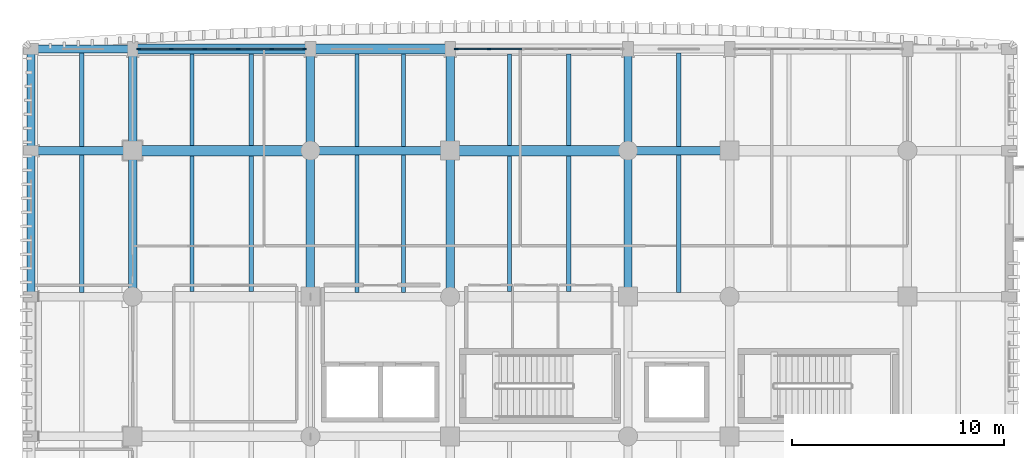
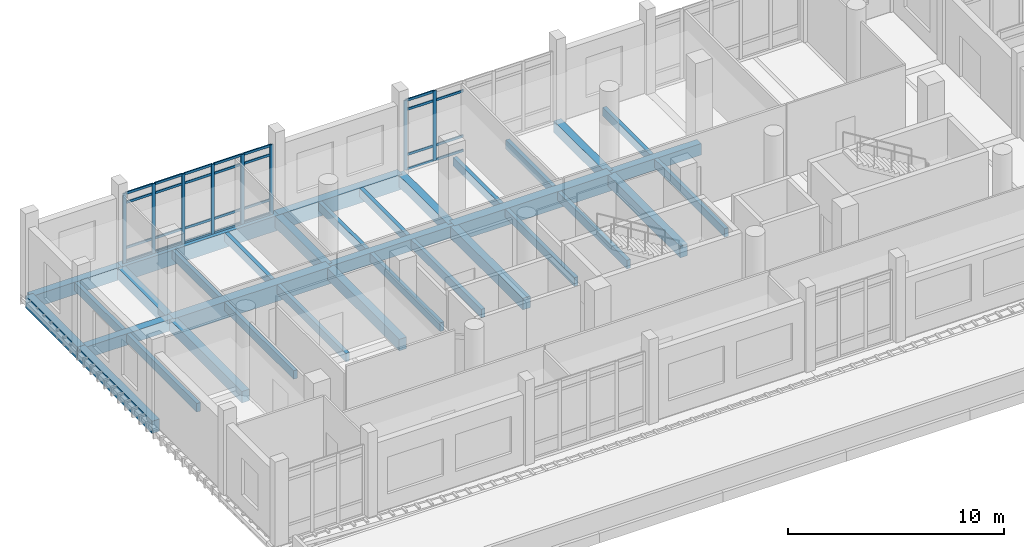
# One storey, part 32 of 125: 35 members, 34 beams, 2 elements without a shape of their own.
"""IFC4 building model written with IfcOpenShell, lengths in metres."""

from ifc_helpers import new_model, si_unit, direction, frame, origin, origin_2d, place, context, subcontext, project, spatial, rectangle, extrude, material, material_profile, profile_set, type_object, element, aggregate, save


model = new_model("IFC4")

# Units and contexts
model_context = context("Model", 3, precision=1e-05, world=origin(), true_north=direction((0.0, 1.0)))
body_context = subcontext(model_context, "Body", "Model", "MODEL_VIEW")
ifc_project = project(units=[si_unit("LENGTHUNIT", "METRE"), si_unit("AREAUNIT", "SQUARE_METRE"), si_unit("VOLUMEUNIT", "CUBIC_METRE"), si_unit("PLANEANGLEUNIT", "RADIAN"), si_unit("MASSUNIT", "GRAM", prefix="KILO")], contexts=[model_context])

# Site, building, storey
site_placement = place(None, origin())
site = spatial("IfcSite", under=ifc_project, at=site_placement, CompositionType="ELEMENT")
building_placement = place(site_placement, origin())
building = spatial("IfcBuilding", under=site, at=building_placement, Name="Dornvale Research Institute", CompositionType="ELEMENT")
storey_placement = place(building_placement, frame((0.0, 0.0, 5.39990234375)))
storey = spatial("IfcBuildingStorey", under=building, at=storey_placement, Name="L01", CompositionType="ELEMENT", Elevation=5.39990234375)

# Beams
ifc_material_1 = material(Name="Concrete f'c 45 MPa (C35/45)", Category="concrete")
ifc_material_profile_1 = material_profile(ifc_material_1, rectangle(XDim=0.39990234375, YDim=0.64990234375, at=origin_2d()), Name="RC 400x650")
ifc_profile_set_1 = profile_set([ifc_material_profile_1], Name="Concrete f'c 45 MPa (C35/45)")
beam_type_1 = type_object("IfcBeamType", Name="Beam_RC400x650_Floor", PredefinedType="BEAM", material=ifc_profile_set_1)
beam_1_placement = place(storey_placement, frame((0.0, 117.300048828125, -0.324951171875), z_axis=(1.0, 0.0, 0.0), x_axis=(0.0, 1.0, 0.0)))
element("IfcBeam", 1, at=beam_1_placement, inside=storey, type_object=beam_type_1, Name="L01 primary girder #308", PredefinedType="BEAM", context=body_context, shape_type="SweptSolid", body=[
    extrude(rectangle(XDim=0.39990234375, YDim=0.64990234375, at=origin_2d()), origin(), (0.0, 0.0, 1.0), 4.800048828125),
])
beam_2_placement = place(storey_placement, frame((13.199951171875, 117.300048828125, -0.324951171875), z_axis=(1.0, 0.0, 0.0), x_axis=(0.0, 1.0, 0.0)))
element("IfcBeam", 2, at=beam_2_placement, inside=storey, type_object=beam_type_1, Name="L01 primary girder #310", PredefinedType="BEAM", context=body_context, shape_type="SweptSolid", body=[
    extrude(rectangle(XDim=0.39990234375, YDim=0.64990234375, at=origin_2d()), origin(), (0.0, 0.0, 1.0), 6.60009765625),
])
beam_3_placement = place(storey_placement, frame((28.199951171875, 117.300048828125, -0.324951171875), z_axis=(1.0, 0.0, 0.0), x_axis=(0.0, 1.0, 0.0)))
element("IfcBeam", 3, at=beam_3_placement, inside=storey, type_object=beam_type_1, Name="L01 primary girder #312", PredefinedType="BEAM", context=body_context, shape_type="SweptSolid", body=[
    extrude(rectangle(XDim=0.39990234375, YDim=0.64990234375, at=origin_2d()), origin(), (0.0, 0.0, 1.0), 4.800048828125),
])
beam_4_placement = place(storey_placement, frame((4.800048828125, 110.39990234375, -0.324951171875), z_axis=(0.0, 1.0, 0.0), x_axis=(-1.0, 0.0, 0.0)))
element("IfcBeam", 4, at=beam_4_placement, inside=storey, type_object=beam_type_1, Name="L01 transverse girder #328", PredefinedType="BEAM", context=body_context, shape_type="SweptSolid", body=[
    extrude(rectangle(XDim=0.39990234375, YDim=0.64990234375, at=origin_2d()), origin(), (0.0, 0.0, 1.0), 6.900146484375),
])
beam_5_placement = place(storey_placement, frame((4.800048828125, 117.300048828125, -0.324951171875), z_axis=(0.0, 1.0, 0.0), x_axis=(-1.0, 0.0, 0.0)))
element("IfcBeam", 5, at=beam_5_placement, inside=storey, type_object=beam_type_1, Name="L01 transverse girder #329", PredefinedType="BEAM", context=body_context, shape_type="SweptSolid", body=[
    extrude(rectangle(XDim=0.39990234375, YDim=0.64990234375, at=origin_2d()), origin(), (0.0, 0.0, 1.0), 4.800048828125),
])
beam_6_placement = place(storey_placement, frame((13.199951171875, 110.39990234375, -0.324951171875), z_axis=(0.0, 1.0, 0.0), x_axis=(-1.0, 0.0, 0.0)))
element("IfcBeam", 6, at=beam_6_placement, inside=storey, type_object=beam_type_1, Name="L01 transverse girder #332", PredefinedType="BEAM", context=body_context, shape_type="SweptSolid", body=[
    extrude(rectangle(XDim=0.39990234375, YDim=0.64990234375, at=origin_2d()), origin(), (0.0, 0.0, 1.0), 6.900146484375),
])
beam_7_placement = place(storey_placement, frame((13.199951171875, 117.300048828125, -0.324951171875), z_axis=(0.0, 1.0, 0.0), x_axis=(-1.0, 0.0, 0.0)))
element("IfcBeam", 7, at=beam_7_placement, inside=storey, type_object=beam_type_1, Name="L01 transverse girder #333", PredefinedType="BEAM", context=body_context, shape_type="SweptSolid", body=[
    extrude(rectangle(XDim=0.39990234375, YDim=0.64990234375, at=origin_2d()), origin(), (0.0, 0.0, 1.0), 4.800048828125),
])
beam_8_placement = place(storey_placement, frame((19.800048828125, 110.39990234375, -0.324951171875), z_axis=(0.0, 1.0, 0.0), x_axis=(-1.0, 0.0, 0.0)))
element("IfcBeam", 8, at=beam_8_placement, inside=storey, type_object=beam_type_1, Name="L01 transverse girder #336", PredefinedType="BEAM", context=body_context, shape_type="SweptSolid", body=[
    extrude(rectangle(XDim=0.39990234375, YDim=0.64990234375, at=origin_2d()), origin(), (0.0, 0.0, 1.0), 6.900146484375),
])
beam_9_placement = place(storey_placement, frame((19.800048828125, 117.300048828125, -0.324951171875), z_axis=(0.0, 1.0, 0.0), x_axis=(-1.0, 0.0, 0.0)))
element("IfcBeam", 9, at=beam_9_placement, inside=storey, type_object=beam_type_1, Name="L01 transverse girder #337", PredefinedType="BEAM", context=body_context, shape_type="SweptSolid", body=[
    extrude(rectangle(XDim=0.39990234375, YDim=0.64990234375, at=origin_2d()), origin(), (0.0, 0.0, 1.0), 4.800048828125),
])
beam_10_placement = place(storey_placement, frame((28.199951171875, 110.39990234375, -0.324951171875), z_axis=(0.0, 1.0, 0.0), x_axis=(-1.0, 0.0, 0.0)))
element("IfcBeam", 10, at=beam_10_placement, inside=storey, type_object=beam_type_1, Name="L01 transverse girder #340", PredefinedType="BEAM", context=body_context, shape_type="SweptSolid", body=[
    extrude(rectangle(XDim=0.39990234375, YDim=0.64990234375, at=origin_2d()), origin(), (0.0, 0.0, 1.0), 6.900146484375),
])
beam_11_placement = place(storey_placement, frame((28.199951171875, 117.300048828125, -0.324951171875), z_axis=(0.0, 1.0, 0.0), x_axis=(-1.0, 0.0, 0.0)))
element("IfcBeam", 11, at=beam_11_placement, inside=storey, type_object=beam_type_1, Name="L01 transverse girder #341", PredefinedType="BEAM", context=body_context, shape_type="SweptSolid", body=[
    extrude(rectangle(XDim=0.39990234375, YDim=0.64990234375, at=origin_2d()), origin(), (0.0, 0.0, 1.0), 4.800048828125),
])
ifc_material_2 = material(Name="Concrete f'c 45 MPa (C35/45)", Category="concrete")
ifc_material_profile_2 = material_profile(ifc_material_2, rectangle(XDim=0.5, YDim=0.949951171875, at=origin_2d()), Name="RC 500x950")
ifc_profile_set_2 = profile_set([ifc_material_profile_2], Name="Concrete f'c 45 MPa (C35/45)")
beam_type_2 = type_object("IfcBeamType", Name="Beam_RC500x950_Girder", PredefinedType="BEAM", material=ifc_profile_set_2)
for number, where, z_axis, x_axis, name in (
    (12, (4.800048828125, 117.300048828125, -0.474853515625), (1.0, 0.0, 0.0), (0.0, 1.0, 0.0), "L01 primary girder #309"),
    (13, (19.800048828125, 117.300048828125, -0.474853515625), (1.0, 0.0, 0.0), (0.0, 1.0, 0.0), "L01 primary girder #311"),
):
    element("IfcBeam", number, at=place(storey_placement, frame(where, z_axis=z_axis, x_axis=x_axis)), inside=storey, type_object=beam_type_2, Name=name, PredefinedType="BEAM", context=body_context, shape_type="SweptSolid", body=[
        extrude(rectangle(XDim=0.5, YDim=0.949951171875, at=origin_2d()), origin(), (0.0, 0.0, 1.0), 8.39990234375),
    ])
ifc_material_3 = material(Name="Concrete f'c 45 MPa (C35/45)", Category="concrete")
ifc_material_profile_3 = material_profile(ifc_material_3, rectangle(XDim=0.199951171875, YDim=0.485107421875, at=origin_2d()), Name="RC 200x485")
ifc_profile_set_3 = profile_set([ifc_material_profile_3], Name="Concrete f'c 45 MPa (C35/45)")
beam_type_3 = type_object("IfcBeamType", Name="Joist_RC200x485_Rib", PredefinedType="JOIST", material=ifc_profile_set_3)
beam_12_placement = place(storey_placement, frame((2.39990234375, 110.60009765625, -0.242431640625), z_axis=(0.0, 1.0, 0.0), x_axis=(-1.0, 0.0, 0.0)))
element("IfcBeam", 14, at=beam_12_placement, inside=storey, type_object=beam_type_3, Name="L01 laboratory waffle joist #141", PredefinedType="JOIST", context=body_context, shape_type="SweptSolid", body=[
    extrude(rectangle(XDim=0.199951171875, YDim=0.485107421875, at=origin_2d()), origin(), (0.0, 0.0, 1.0), 6.5),
])
beam_13_placement = place(storey_placement, frame((2.39990234375, 117.5, -0.242431640625), z_axis=(0.0, 1.0, 0.0), x_axis=(-1.0, 0.0, 0.0)))
element("IfcBeam", 15, at=beam_13_placement, inside=storey, type_object=beam_type_3, Name="L01 laboratory waffle joist #142", PredefinedType="JOIST", context=body_context, shape_type="SweptSolid", body=[
    extrude(rectangle(XDim=0.199951171875, YDim=0.485107421875, at=origin_2d()), origin(), (0.0, 0.0, 1.0), 4.39990234375),
])
for number, where, z_axis, x_axis, name in (
    (16, (7.60009765625, 110.64990234375, -0.242431640625), (0.0, 1.0, 0.0), (-1.0, 0.0, 0.0), "L01 laboratory waffle joist #147"),
    (17, (10.39990234375, 110.64990234375, -0.242431640625), (0.0, 1.0, 0.0), (-1.0, 0.0, 0.0), "L01 laboratory waffle joist #148"),
):
    element("IfcBeam", number, at=place(storey_placement, frame(where, z_axis=z_axis, x_axis=x_axis)), inside=storey, type_object=beam_type_3, Name=name, PredefinedType="JOIST", context=body_context, shape_type="SweptSolid", body=[
        extrude(rectangle(XDim=0.199951171875, YDim=0.485107421875, at=origin_2d()), origin(), (0.0, 0.0, 1.0), 6.400146484375),
    ])
for number, where, z_axis, x_axis, name in (
    (18, (7.60009765625, 117.550048828125, -0.242431640625), (0.0, 1.0, 0.0), (-1.0, 0.0, 0.0), "L01 laboratory waffle joist #149"),
    (19, (10.39990234375, 117.550048828125, -0.242431640625), (0.0, 1.0, 0.0), (-1.0, 0.0, 0.0), "L01 laboratory waffle joist #150"),
):
    element("IfcBeam", number, at=place(storey_placement, frame(where, z_axis=z_axis, x_axis=x_axis)), inside=storey, type_object=beam_type_3, Name=name, PredefinedType="JOIST", context=body_context, shape_type="SweptSolid", body=[
        extrude(rectangle(XDim=0.199951171875, YDim=0.485107421875, at=origin_2d()), origin(), (0.0, 0.0, 1.0), 4.324951171875),
    ])
for number, where, z_axis, x_axis, name in (
    (20, (15.39990234375, 110.60009765625, -0.242431640625), (0.0, 1.0, 0.0), (-1.0, 0.0, 0.0), "L01 laboratory waffle joist #153"),
    (21, (17.60009765625, 110.60009765625, -0.242431640625), (0.0, 1.0, 0.0), (-1.0, 0.0, 0.0), "L01 laboratory waffle joist #154"),
):
    element("IfcBeam", number, at=place(storey_placement, frame(where, z_axis=z_axis, x_axis=x_axis)), inside=storey, type_object=beam_type_3, Name=name, PredefinedType="JOIST", context=body_context, shape_type="SweptSolid", body=[
        extrude(rectangle(XDim=0.199951171875, YDim=0.485107421875, at=origin_2d()), origin(), (0.0, 0.0, 1.0), 6.5),
    ])
for number, where, z_axis, x_axis, name in (
    (22, (15.39990234375, 117.5, -0.242431640625), (0.0, 1.0, 0.0), (-1.0, 0.0, 0.0), "L01 laboratory waffle joist #155"),
    (23, (17.60009765625, 117.5, -0.242431640625), (0.0, 1.0, 0.0), (-1.0, 0.0, 0.0), "L01 laboratory waffle joist #156"),
):
    element("IfcBeam", number, at=place(storey_placement, frame(where, z_axis=z_axis, x_axis=x_axis)), inside=storey, type_object=beam_type_3, Name=name, PredefinedType="JOIST", context=body_context, shape_type="SweptSolid", body=[
        extrude(rectangle(XDim=0.199951171875, YDim=0.485107421875, at=origin_2d()), origin(), (0.0, 0.0, 1.0), 4.375),
    ])
for number, where, z_axis, x_axis, name in (
    (24, (22.60009765625, 110.64990234375, -0.242431640625), (0.0, 1.0, 0.0), (-1.0, 0.0, 0.0), "L01 laboratory waffle joist #159"),
    (25, (25.39990234375, 110.64990234375, -0.242431640625), (0.0, 1.0, 0.0), (-1.0, 0.0, 0.0), "L01 laboratory waffle joist #160"),
):
    element("IfcBeam", number, at=place(storey_placement, frame(where, z_axis=z_axis, x_axis=x_axis)), inside=storey, type_object=beam_type_3, Name=name, PredefinedType="JOIST", context=body_context, shape_type="SweptSolid", body=[
        extrude(rectangle(XDim=0.199951171875, YDim=0.485107421875, at=origin_2d()), origin(), (0.0, 0.0, 1.0), 6.400146484375),
    ])
for number, where, z_axis, x_axis, name in (
    (26, (22.60009765625, 117.550048828125, -0.242431640625), (0.0, 1.0, 0.0), (-1.0, 0.0, 0.0), "L01 laboratory waffle joist #161"),
    (27, (25.39990234375, 117.550048828125, -0.242431640625), (0.0, 1.0, 0.0), (-1.0, 0.0, 0.0), "L01 laboratory waffle joist #162"),
):
    element("IfcBeam", number, at=place(storey_placement, frame(where, z_axis=z_axis, x_axis=x_axis)), inside=storey, type_object=beam_type_3, Name=name, PredefinedType="JOIST", context=body_context, shape_type="SweptSolid", body=[
        extrude(rectangle(XDim=0.199951171875, YDim=0.485107421875, at=origin_2d()), origin(), (0.0, 0.0, 1.0), 4.324951171875),
    ])
beam_14_placement = place(storey_placement, frame((30.60009765625, 110.60009765625, -0.242431640625), z_axis=(0.0, 1.0, 0.0), x_axis=(-1.0, 0.0, 0.0)))
element("IfcBeam", 28, at=beam_14_placement, inside=storey, type_object=beam_type_3, Name="L01 laboratory waffle joist #164", PredefinedType="JOIST", context=body_context, shape_type="SweptSolid", body=[
    extrude(rectangle(XDim=0.199951171875, YDim=0.485107421875, at=origin_2d()), origin(), (0.0, 0.0, 1.0), 6.5),
])
beam_15_placement = place(storey_placement, frame((30.60009765625, 117.5, -0.242431640625), z_axis=(0.0, 1.0, 0.0), x_axis=(-1.0, 0.0, 0.0)))
element("IfcBeam", 29, at=beam_15_placement, inside=storey, type_object=beam_type_3, Name="L01 laboratory waffle joist #165", PredefinedType="JOIST", context=body_context, shape_type="SweptSolid", body=[
    extrude(rectangle(XDim=0.199951171875, YDim=0.485107421875, at=origin_2d()), origin(), (0.0, 0.0, 1.0), 4.39990234375),
])

# Curtain wall, members
ifc_material_4 = material(Name="Low-E Argon Double Insulating Glazing Unit", Category="glass")
curtain_wall_type = type_object("IfcCurtainWallType", Name="UnitisedCurtainWall_V5_7900x3950", PredefinedType="USERDEFINED", material=ifc_material_4)
curtain_wall_1_placement = place(storey_placement, origin())
curtain_wall_1 = element("IfcCurtainWall", 30, at=curtain_wall_1_placement, inside=storey, type_object=curtain_wall_type, Name="L01 V5 unitised curtain wall CW-24 #133", ObjectType="UNITISED CURTAIN WALL", PredefinedType="USERDEFINED")
ifc_material_5 = material(Name="Anodized Aluminum AA 6063-T6 Thermally Broken Frame", Category="aluminium")
ifc_material_profile_4 = material_profile(ifc_material_5, rectangle(XDim=0.06494140625, YDim=0.179931640625, at=origin_2d()), Name="ALU MULLION 65x180")
ifc_profile_set_4 = profile_set([ifc_material_profile_4], Name="Anodized Aluminum AA 6063-T6 Thermally Broken Frame")
member_type_1 = type_object("IfcMemberType", Name="Mullion_CW_65x180", PredefinedType="MULLION", material=ifc_profile_set_4)
member_1_placement = place(storey_placement, frame((5.08251953125, 122.10009765625, 0.0), z_axis=(0.0, 0.0, 1.0), x_axis=(0.0, 1.0, 0.0)))
member_1 = element("IfcMember", 31, at=member_1_placement, type_object=member_type_1, Name="CW-24 mullion 1", PredefinedType="MULLION", context=body_context, shape_type="SweptSolid", body=[
    extrude(rectangle(XDim=0.06494140625, YDim=0.179931640625, at=origin_2d()), origin(), (0.0, 0.0, 1.0), 3.9501953125),
])
member_2_placement = place(storey_placement, frame((6.6298828125, 122.10009765625, 0.0), z_axis=(0.0, 0.0, 1.0), x_axis=(0.0, 1.0, 0.0)))
member_2 = element("IfcMember", 32, at=member_2_placement, type_object=member_type_1, Name="CW-24 mullion 2", PredefinedType="MULLION", context=body_context, shape_type="SweptSolid", body=[
    extrude(rectangle(XDim=0.06494140625, YDim=0.179931640625, at=origin_2d()), origin(), (0.0, 0.0, 1.0), 3.9501953125),
])
member_3_placement = place(storey_placement, frame((8.2099609375, 122.10009765625, 0.0), z_axis=(0.0, 0.0, 1.0), x_axis=(0.0, 1.0, 0.0)))
member_3 = element("IfcMember", 33, at=member_3_placement, type_object=member_type_1, Name="CW-24 mullion 3", PredefinedType="MULLION", context=body_context, shape_type="SweptSolid", body=[
    extrude(rectangle(XDim=0.06494140625, YDim=0.179931640625, at=origin_2d()), origin(), (0.0, 0.0, 1.0), 3.9501953125),
])
member_4_placement = place(storey_placement, frame((9.7900390625, 122.10009765625, 0.0), z_axis=(0.0, 0.0, 1.0), x_axis=(0.0, 1.0, 0.0)))
member_4 = element("IfcMember", 34, at=member_4_placement, type_object=member_type_1, Name="CW-24 mullion 4", PredefinedType="MULLION", context=body_context, shape_type="SweptSolid", body=[
    extrude(rectangle(XDim=0.06494140625, YDim=0.179931640625, at=origin_2d()), origin(), (0.0, 0.0, 1.0), 3.9501953125),
])
member_5_placement = place(storey_placement, frame((11.3701171875, 122.10009765625, 0.0), z_axis=(0.0, 0.0, 1.0), x_axis=(0.0, 1.0, 0.0)))
member_5 = element("IfcMember", 35, at=member_5_placement, type_object=member_type_1, Name="CW-24 mullion 5", PredefinedType="MULLION", context=body_context, shape_type="SweptSolid", body=[
    extrude(rectangle(XDim=0.06494140625, YDim=0.179931640625, at=origin_2d()), origin(), (0.0, 0.0, 1.0), 3.9501953125),
])
member_6_placement = place(storey_placement, frame((12.91748046875, 122.10009765625, 0.0), z_axis=(0.0, 0.0, 1.0), x_axis=(0.0, 1.0, 0.0)))
member_6 = element("IfcMember", 36, at=member_6_placement, type_object=member_type_1, Name="CW-24 mullion 6", PredefinedType="MULLION", context=body_context, shape_type="SweptSolid", body=[
    extrude(rectangle(XDim=0.06494140625, YDim=0.179931640625, at=origin_2d()), origin(), (0.0, 0.0, 1.0), 3.9501953125),
])

curtain_wall_2_placement = place(storey_placement, origin())
curtain_wall_2 = element("IfcCurtainWall", 37, at=curtain_wall_2_placement, inside=storey, type_object=curtain_wall_type, Name="L01 V5 unitised curtain wall CW-24 #134", ObjectType="UNITISED CURTAIN WALL", PredefinedType="USERDEFINED")
member_7_placement = place(storey_placement, frame((20.08251953125, 122.10009765625, 0.0), z_axis=(0.0, 0.0, 1.0), x_axis=(0.0, 1.0, 0.0)))
member_7 = element("IfcMember", 38, at=member_7_placement, type_object=member_type_1, Name="CW-24 mullion 1", PredefinedType="MULLION", context=body_context, shape_type="SweptSolid", body=[
    extrude(rectangle(XDim=0.06494140625, YDim=0.179931640625, at=origin_2d()), origin(), (0.0, 0.0, 1.0), 3.9501953125),
])
member_8_placement = place(storey_placement, frame((21.6298828125, 122.10009765625, 0.0), z_axis=(0.0, 0.0, 1.0), x_axis=(0.0, 1.0, 0.0)))
member_8 = element("IfcMember", 39, at=member_8_placement, type_object=member_type_1, Name="CW-24 mullion 2", PredefinedType="MULLION", context=body_context, shape_type="SweptSolid", body=[
    extrude(rectangle(XDim=0.06494140625, YDim=0.179931640625, at=origin_2d()), origin(), (0.0, 0.0, 1.0), 3.9501953125),
])

# Beams
ifc_material_6 = material(Name="Concrete f'c 45 MPa (C35/45)", Category="concrete")
ifc_material_profile_5 = material_profile(ifc_material_6, rectangle(XDim=0.39990234375, YDim=0.699951171875, at=origin_2d()), Name="RC 400x700")
ifc_profile_set_5 = profile_set([ifc_material_profile_5], Name="Concrete f'c 45 MPa (C35/45)")
beam_type_4 = type_object("IfcBeamType", Name="Spandrel_RC400x700_Ext", PredefinedType="SPANDREL", material=ifc_profile_set_5)
beam_16_placement = place(storey_placement, frame((0.0, 122.10009765625, -0.349853515625), z_axis=(1.0, 0.0, 0.0), x_axis=(0.0, 1.0, 0.0)))
element("IfcBeam", 40, at=beam_16_placement, inside=storey, type_object=beam_type_4, Name="L01 perimeter spandrel #315", PredefinedType="SPANDREL", context=body_context, shape_type="SweptSolid", body=[
    extrude(rectangle(XDim=0.39990234375, YDim=0.699951171875, at=origin_2d()), origin(), (0.0, 0.0, 1.0), 4.800048828125),
])
beam_17_placement = place(storey_placement, frame((0.0, 110.39990234375, -0.349853515625), z_axis=(0.0, 1.0, 0.0), x_axis=(-1.0, 0.0, 0.0)))
element("IfcBeam", 41, at=beam_17_placement, inside=storey, type_object=beam_type_4, Name="L01 perimeter spandrel #324", PredefinedType="SPANDREL", context=body_context, shape_type="SweptSolid", body=[
    extrude(rectangle(XDim=0.39990234375, YDim=0.699951171875, at=origin_2d()), origin(), (0.0, 0.0, 1.0), 6.900146484375),
])
beam_18_placement = place(storey_placement, frame((0.0, 117.300048828125, -0.349853515625), z_axis=(0.0, 1.0, 0.0), x_axis=(-1.0, 0.0, 0.0)))
element("IfcBeam", 42, at=beam_18_placement, inside=storey, type_object=beam_type_4, Name="L01 perimeter spandrel #325", PredefinedType="SPANDREL", context=body_context, shape_type="SweptSolid", body=[
    extrude(rectangle(XDim=0.39990234375, YDim=0.699951171875, at=origin_2d()), origin(), (0.0, 0.0, 1.0), 4.800048828125),
])
ifc_material_7 = material(Name="Concrete f'c 45 MPa (C35/45)", Category="concrete")
ifc_material_profile_6 = material_profile(ifc_material_7, rectangle(XDim=0.449951171875, YDim=0.85009765625, at=origin_2d()), Name="RC 450x850")
ifc_profile_set_6 = profile_set([ifc_material_profile_6], Name="Concrete f'c 45 MPa (C35/45)")
beam_type_5 = type_object("IfcBeamType", Name="Spandrel_RC450x850_Ext", PredefinedType="SPANDREL", material=ifc_profile_set_6)
beam_19_placement = place(storey_placement, frame((4.800048828125, 122.10009765625, -0.4248046875), z_axis=(1.0, 0.0, 0.0), x_axis=(0.0, 1.0, 0.0)))
element("IfcBeam", 43, at=beam_19_placement, inside=storey, type_object=beam_type_5, Name="L01 perimeter spandrel #316", PredefinedType="SPANDREL", context=body_context, shape_type="SweptSolid", body=[
    extrude(rectangle(XDim=0.449951171875, YDim=0.85009765625, at=origin_2d()), origin(), (0.0, 0.0, 1.0), 8.39990234375),
])
beam_20_placement = place(storey_placement, frame((13.199951171875, 122.10009765625, -0.4248046875), z_axis=(1.0, 0.0, 0.0), x_axis=(0.0, 1.0, 0.0)))
element("IfcBeam", 44, at=beam_20_placement, inside=storey, type_object=beam_type_5, Name="L01 perimeter spandrel #317", PredefinedType="SPANDREL", context=body_context, shape_type="SweptSolid", body=[
    extrude(rectangle(XDim=0.449951171875, YDim=0.85009765625, at=origin_2d()), origin(), (0.0, 0.0, 1.0), 6.60009765625),
])

# Member
ifc_material_8 = material(Name="Anodized Aluminum AA 6063-T6 Thermally Broken Frame", Category="aluminium")
ifc_material_profile_7 = material_profile(ifc_material_8, rectangle(XDim=0.06494140625, YDim=0.135009765625, at=origin_2d()), Name="ALU TRANSOM 65x135")
ifc_profile_set_7 = profile_set([ifc_material_profile_7], Name="Anodized Aluminum AA 6063-T6 Thermally Broken Frame")
member_type_2 = type_object("IfcMemberType", Name="Transom_CW_65x135", PredefinedType="USERDEFINED", material=ifc_profile_set_7)
member_9_placement = place(storey_placement, frame((5.114990234375, 122.10009765625, 0.03271484375), z_axis=(1.0, 0.0, 0.0), x_axis=(0.0, 1.0, 0.0)))
member_9 = element("IfcMember", 45, at=member_9_placement, type_object=member_type_2, Name="CW-24 transom 1.1", ObjectType="TRANSOM", PredefinedType="USERDEFINED", context=body_context, shape_type="SweptSolid", body=[
    extrude(rectangle(XDim=0.06494140625, YDim=0.135009765625, at=origin_2d()), origin(), (0.0, 0.0, 1.0), 1.482421875),
])

member_10_placement = place(storey_placement, frame((5.114990234375, 122.10009765625, 0.85009765625), z_axis=(1.0, 0.0, 0.0), x_axis=(0.0, 1.0, 0.0)))
member_10 = element("IfcMember", 46, at=member_10_placement, type_object=member_type_2, Name="CW-24 transom 1.2", ObjectType="TRANSOM", PredefinedType="USERDEFINED", context=body_context, shape_type="SweptSolid", body=[
    extrude(rectangle(XDim=0.06494140625, YDim=0.135009765625, at=origin_2d()), origin(), (0.0, 0.0, 1.0), 1.482421875),
])

member_11_placement = place(storey_placement, frame((5.114990234375, 122.10009765625, 3.400146484375), z_axis=(1.0, 0.0, 0.0), x_axis=(0.0, 1.0, 0.0)))
member_11 = element("IfcMember", 47, at=member_11_placement, type_object=member_type_2, Name="CW-24 transom 1.3", ObjectType="TRANSOM", PredefinedType="USERDEFINED", context=body_context, shape_type="SweptSolid", body=[
    extrude(rectangle(XDim=0.06494140625, YDim=0.135009765625, at=origin_2d()), origin(), (0.0, 0.0, 1.0), 1.482421875),
])

member_12_placement = place(storey_placement, frame((5.114990234375, 122.10009765625, 3.91748046875), z_axis=(1.0, 0.0, 0.0), x_axis=(0.0, 1.0, 0.0)))
member_12 = element("IfcMember", 48, at=member_12_placement, type_object=member_type_2, Name="CW-24 transom 1.4", ObjectType="TRANSOM", PredefinedType="USERDEFINED", context=body_context, shape_type="SweptSolid", body=[
    extrude(rectangle(XDim=0.06494140625, YDim=0.135009765625, at=origin_2d()), origin(), (0.0, 0.0, 1.0), 1.482421875),
])

member_13_placement = place(storey_placement, frame((6.66259765625, 122.10009765625, 0.03271484375), z_axis=(1.0, 0.0, 0.0), x_axis=(0.0, 1.0, 0.0)))
member_13 = element("IfcMember", 49, at=member_13_placement, type_object=member_type_2, Name="CW-24 transom 2.1", ObjectType="TRANSOM", PredefinedType="USERDEFINED", context=body_context, shape_type="SweptSolid", body=[
    extrude(rectangle(XDim=0.06494140625, YDim=0.135009765625, at=origin_2d()), origin(), (0.0, 0.0, 1.0), 1.514892578125),
])

member_14_placement = place(storey_placement, frame((6.66259765625, 122.10009765625, 0.85009765625), z_axis=(1.0, 0.0, 0.0), x_axis=(0.0, 1.0, 0.0)))
member_14 = element("IfcMember", 50, at=member_14_placement, type_object=member_type_2, Name="CW-24 transom 2.2", ObjectType="TRANSOM", PredefinedType="USERDEFINED", context=body_context, shape_type="SweptSolid", body=[
    extrude(rectangle(XDim=0.06494140625, YDim=0.135009765625, at=origin_2d()), origin(), (0.0, 0.0, 1.0), 1.514892578125),
])

member_15_placement = place(storey_placement, frame((6.66259765625, 122.10009765625, 3.400146484375), z_axis=(1.0, 0.0, 0.0), x_axis=(0.0, 1.0, 0.0)))
member_15 = element("IfcMember", 51, at=member_15_placement, type_object=member_type_2, Name="CW-24 transom 2.3", ObjectType="TRANSOM", PredefinedType="USERDEFINED", context=body_context, shape_type="SweptSolid", body=[
    extrude(rectangle(XDim=0.06494140625, YDim=0.135009765625, at=origin_2d()), origin(), (0.0, 0.0, 1.0), 1.514892578125),
])

member_16_placement = place(storey_placement, frame((6.66259765625, 122.10009765625, 3.91748046875), z_axis=(1.0, 0.0, 0.0), x_axis=(0.0, 1.0, 0.0)))
member_16 = element("IfcMember", 52, at=member_16_placement, type_object=member_type_2, Name="CW-24 transom 2.4", ObjectType="TRANSOM", PredefinedType="USERDEFINED", context=body_context, shape_type="SweptSolid", body=[
    extrude(rectangle(XDim=0.06494140625, YDim=0.135009765625, at=origin_2d()), origin(), (0.0, 0.0, 1.0), 1.514892578125),
])

member_17_placement = place(storey_placement, frame((8.242431640625, 122.10009765625, 0.03271484375), z_axis=(1.0, 0.0, 0.0), x_axis=(0.0, 1.0, 0.0)))
member_17 = element("IfcMember", 53, at=member_17_placement, type_object=member_type_2, Name="CW-24 transom 3.1", ObjectType="TRANSOM", PredefinedType="USERDEFINED", context=body_context, shape_type="SweptSolid", body=[
    extrude(rectangle(XDim=0.06494140625, YDim=0.135009765625, at=origin_2d()), origin(), (0.0, 0.0, 1.0), 1.51513671875),
])

member_18_placement = place(storey_placement, frame((8.242431640625, 122.10009765625, 0.85009765625), z_axis=(1.0, 0.0, 0.0), x_axis=(0.0, 1.0, 0.0)))
member_18 = element("IfcMember", 54, at=member_18_placement, type_object=member_type_2, Name="CW-24 transom 3.2", ObjectType="TRANSOM", PredefinedType="USERDEFINED", context=body_context, shape_type="SweptSolid", body=[
    extrude(rectangle(XDim=0.06494140625, YDim=0.135009765625, at=origin_2d()), origin(), (0.0, 0.0, 1.0), 1.51513671875),
])

member_19_placement = place(storey_placement, frame((8.242431640625, 122.10009765625, 3.400146484375), z_axis=(1.0, 0.0, 0.0), x_axis=(0.0, 1.0, 0.0)))
member_19 = element("IfcMember", 55, at=member_19_placement, type_object=member_type_2, Name="CW-24 transom 3.3", ObjectType="TRANSOM", PredefinedType="USERDEFINED", context=body_context, shape_type="SweptSolid", body=[
    extrude(rectangle(XDim=0.06494140625, YDim=0.135009765625, at=origin_2d()), origin(), (0.0, 0.0, 1.0), 1.51513671875),
])

member_20_placement = place(storey_placement, frame((8.242431640625, 122.10009765625, 3.91748046875), z_axis=(1.0, 0.0, 0.0), x_axis=(0.0, 1.0, 0.0)))
member_20 = element("IfcMember", 56, at=member_20_placement, type_object=member_type_2, Name="CW-24 transom 3.4", ObjectType="TRANSOM", PredefinedType="USERDEFINED", context=body_context, shape_type="SweptSolid", body=[
    extrude(rectangle(XDim=0.06494140625, YDim=0.135009765625, at=origin_2d()), origin(), (0.0, 0.0, 1.0), 1.51513671875),
])

member_21_placement = place(storey_placement, frame((9.822509765625, 122.10009765625, 0.03271484375), z_axis=(1.0, 0.0, 0.0), x_axis=(0.0, 1.0, 0.0)))
member_21 = element("IfcMember", 57, at=member_21_placement, type_object=member_type_2, Name="CW-24 transom 4.1", ObjectType="TRANSOM", PredefinedType="USERDEFINED", context=body_context, shape_type="SweptSolid", body=[
    extrude(rectangle(XDim=0.06494140625, YDim=0.135009765625, at=origin_2d()), origin(), (0.0, 0.0, 1.0), 1.514892578125),
])

member_22_placement = place(storey_placement, frame((9.822509765625, 122.10009765625, 0.85009765625), z_axis=(1.0, 0.0, 0.0), x_axis=(0.0, 1.0, 0.0)))
member_22 = element("IfcMember", 58, at=member_22_placement, type_object=member_type_2, Name="CW-24 transom 4.2", ObjectType="TRANSOM", PredefinedType="USERDEFINED", context=body_context, shape_type="SweptSolid", body=[
    extrude(rectangle(XDim=0.06494140625, YDim=0.135009765625, at=origin_2d()), origin(), (0.0, 0.0, 1.0), 1.514892578125),
])

member_23_placement = place(storey_placement, frame((9.822509765625, 122.10009765625, 3.400146484375), z_axis=(1.0, 0.0, 0.0), x_axis=(0.0, 1.0, 0.0)))
member_23 = element("IfcMember", 59, at=member_23_placement, type_object=member_type_2, Name="CW-24 transom 4.3", ObjectType="TRANSOM", PredefinedType="USERDEFINED", context=body_context, shape_type="SweptSolid", body=[
    extrude(rectangle(XDim=0.06494140625, YDim=0.135009765625, at=origin_2d()), origin(), (0.0, 0.0, 1.0), 1.514892578125),
])

member_24_placement = place(storey_placement, frame((9.822509765625, 122.10009765625, 3.91748046875), z_axis=(1.0, 0.0, 0.0), x_axis=(0.0, 1.0, 0.0)))
member_24 = element("IfcMember", 60, at=member_24_placement, type_object=member_type_2, Name="CW-24 transom 4.4", ObjectType="TRANSOM", PredefinedType="USERDEFINED", context=body_context, shape_type="SweptSolid", body=[
    extrude(rectangle(XDim=0.06494140625, YDim=0.135009765625, at=origin_2d()), origin(), (0.0, 0.0, 1.0), 1.514892578125),
])

member_25_placement = place(storey_placement, frame((11.402587890625, 122.10009765625, 0.03271484375), z_axis=(1.0, 0.0, 0.0), x_axis=(0.0, 1.0, 0.0)))
member_25 = element("IfcMember", 61, at=member_25_placement, type_object=member_type_2, Name="CW-24 transom 5.1", ObjectType="TRANSOM", PredefinedType="USERDEFINED", context=body_context, shape_type="SweptSolid", body=[
    extrude(rectangle(XDim=0.06494140625, YDim=0.135009765625, at=origin_2d()), origin(), (0.0, 0.0, 1.0), 1.482421875),
])

member_26_placement = place(storey_placement, frame((11.402587890625, 122.10009765625, 0.85009765625), z_axis=(1.0, 0.0, 0.0), x_axis=(0.0, 1.0, 0.0)))
member_26 = element("IfcMember", 62, at=member_26_placement, type_object=member_type_2, Name="CW-24 transom 5.2", ObjectType="TRANSOM", PredefinedType="USERDEFINED", context=body_context, shape_type="SweptSolid", body=[
    extrude(rectangle(XDim=0.06494140625, YDim=0.135009765625, at=origin_2d()), origin(), (0.0, 0.0, 1.0), 1.482421875),
])

member_27_placement = place(storey_placement, frame((11.402587890625, 122.10009765625, 3.400146484375), z_axis=(1.0, 0.0, 0.0), x_axis=(0.0, 1.0, 0.0)))
member_27 = element("IfcMember", 63, at=member_27_placement, type_object=member_type_2, Name="CW-24 transom 5.3", ObjectType="TRANSOM", PredefinedType="USERDEFINED", context=body_context, shape_type="SweptSolid", body=[
    extrude(rectangle(XDim=0.06494140625, YDim=0.135009765625, at=origin_2d()), origin(), (0.0, 0.0, 1.0), 1.482421875),
])

member_28_placement = place(storey_placement, frame((11.402587890625, 122.10009765625, 3.91748046875), z_axis=(1.0, 0.0, 0.0), x_axis=(0.0, 1.0, 0.0)))
member_28 = element("IfcMember", 64, at=member_28_placement, type_object=member_type_2, Name="CW-24 transom 5.4", ObjectType="TRANSOM", PredefinedType="USERDEFINED", context=body_context, shape_type="SweptSolid", body=[
    extrude(rectangle(XDim=0.06494140625, YDim=0.135009765625, at=origin_2d()), origin(), (0.0, 0.0, 1.0), 1.482421875),
])

aggregate(curtain_wall_1, [member_1, member_2, member_3, member_4, member_5, member_6, member_9, member_10, member_11, member_12, member_13, member_14, member_15, member_16, member_17, member_18, member_19, member_20, member_21, member_22, member_23, member_24, member_25, member_26, member_27, member_28])

member_29_placement = place(storey_placement, frame((20.114990234375, 122.10009765625, 0.03271484375), z_axis=(1.0, 0.0, 0.0), x_axis=(0.0, 1.0, 0.0)))
member_29 = element("IfcMember", 65, at=member_29_placement, type_object=member_type_2, Name="CW-24 transom 1.1", ObjectType="TRANSOM", PredefinedType="USERDEFINED", context=body_context, shape_type="SweptSolid", body=[
    extrude(rectangle(XDim=0.06494140625, YDim=0.135009765625, at=origin_2d()), origin(), (0.0, 0.0, 1.0), 1.482421875),
])

member_30_placement = place(storey_placement, frame((20.114990234375, 122.10009765625, 0.85009765625), z_axis=(1.0, 0.0, 0.0), x_axis=(0.0, 1.0, 0.0)))
member_30 = element("IfcMember", 66, at=member_30_placement, type_object=member_type_2, Name="CW-24 transom 1.2", ObjectType="TRANSOM", PredefinedType="USERDEFINED", context=body_context, shape_type="SweptSolid", body=[
    extrude(rectangle(XDim=0.06494140625, YDim=0.135009765625, at=origin_2d()), origin(), (0.0, 0.0, 1.0), 1.482421875),
])

member_31_placement = place(storey_placement, frame((20.114990234375, 122.10009765625, 3.400146484375), z_axis=(1.0, 0.0, 0.0), x_axis=(0.0, 1.0, 0.0)))
member_31 = element("IfcMember", 67, at=member_31_placement, type_object=member_type_2, Name="CW-24 transom 1.3", ObjectType="TRANSOM", PredefinedType="USERDEFINED", context=body_context, shape_type="SweptSolid", body=[
    extrude(rectangle(XDim=0.06494140625, YDim=0.135009765625, at=origin_2d()), origin(), (0.0, 0.0, 1.0), 1.482421875),
])

member_32_placement = place(storey_placement, frame((20.114990234375, 122.10009765625, 3.91748046875), z_axis=(1.0, 0.0, 0.0), x_axis=(0.0, 1.0, 0.0)))
member_32 = element("IfcMember", 68, at=member_32_placement, type_object=member_type_2, Name="CW-24 transom 1.4", ObjectType="TRANSOM", PredefinedType="USERDEFINED", context=body_context, shape_type="SweptSolid", body=[
    extrude(rectangle(XDim=0.06494140625, YDim=0.135009765625, at=origin_2d()), origin(), (0.0, 0.0, 1.0), 1.482421875),
])

member_33_placement = place(storey_placement, frame((21.66259765625, 122.10009765625, 0.03271484375), z_axis=(1.0, 0.0, 0.0), x_axis=(0.0, 1.0, 0.0)))
member_33 = element("IfcMember", 69, at=member_33_placement, type_object=member_type_2, Name="CW-24 transom 2.1", ObjectType="TRANSOM", PredefinedType="USERDEFINED", context=body_context, shape_type="SweptSolid", body=[
    extrude(rectangle(XDim=0.06494140625, YDim=0.135009765625, at=origin_2d()), origin(), (0.0, 0.0, 1.0), 1.514892578125),
])

member_34_placement = place(storey_placement, frame((21.66259765625, 122.10009765625, 0.85009765625), z_axis=(1.0, 0.0, 0.0), x_axis=(0.0, 1.0, 0.0)))
member_34 = element("IfcMember", 70, at=member_34_placement, type_object=member_type_2, Name="CW-24 transom 2.2", ObjectType="TRANSOM", PredefinedType="USERDEFINED", context=body_context, shape_type="SweptSolid", body=[
    extrude(rectangle(XDim=0.06494140625, YDim=0.135009765625, at=origin_2d()), origin(), (0.0, 0.0, 1.0), 1.514892578125),
])

member_35_placement = place(storey_placement, frame((21.66259765625, 122.10009765625, 3.400146484375), z_axis=(1.0, 0.0, 0.0), x_axis=(0.0, 1.0, 0.0)))
member_35 = element("IfcMember", 71, at=member_35_placement, type_object=member_type_2, Name="CW-24 transom 2.3", ObjectType="TRANSOM", PredefinedType="USERDEFINED", context=body_context, shape_type="SweptSolid", body=[
    extrude(rectangle(XDim=0.06494140625, YDim=0.135009765625, at=origin_2d()), origin(), (0.0, 0.0, 1.0), 1.514892578125),
])

aggregate(curtain_wall_2, [member_7, member_8, member_29, member_30, member_31, member_32, member_33, member_34, member_35])

save(model, "model.ifc")
